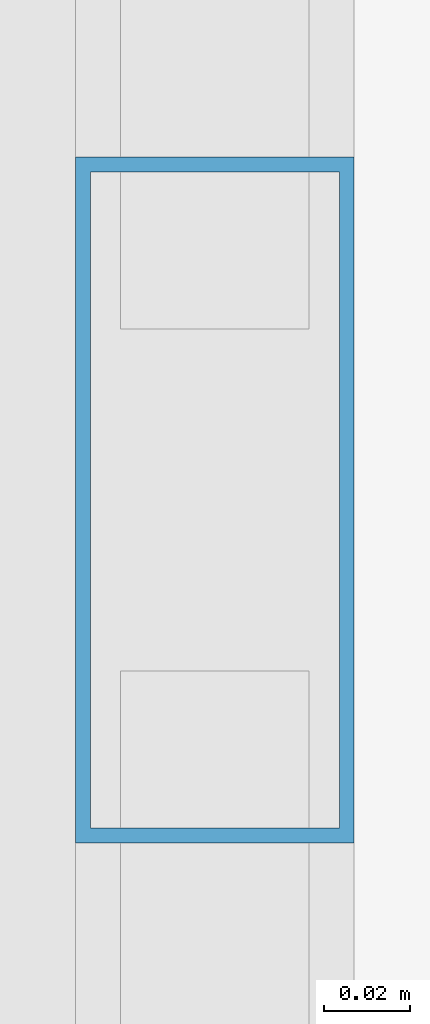
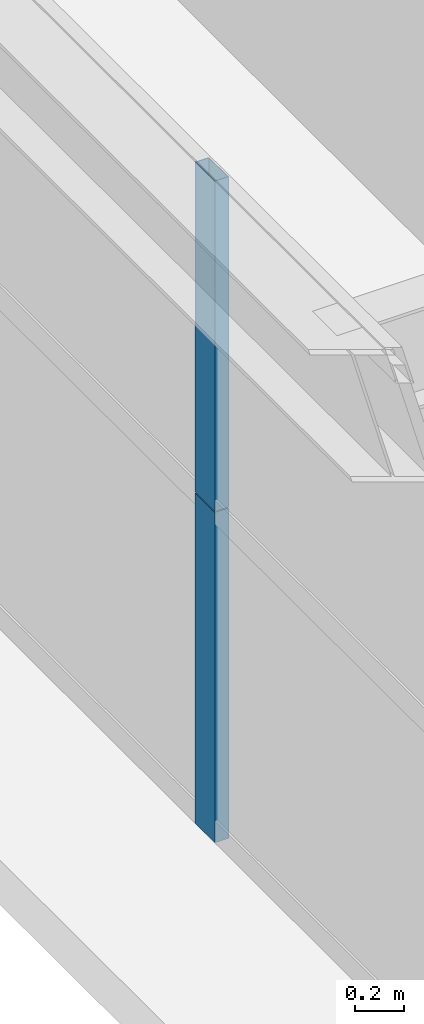
# One storey, part 14 of 38: 2 members, 1 element without a shape of its own.
"""IFC4 building model written with IfcOpenShell, lengths in metres."""

from ifc_helpers import new_model, si_unit, direction, frame, origin, origin_2d, place, context, subcontext, project, spatial, hollow_rectangle, extrude, source, transform, mapped, material, layer, layer_set, material_profile, profile_set, type_object, element, aggregate, save


model = new_model("IFC4")

# Units and contexts
model_context = context("Model", 3, precision=1e-05, world=origin(), true_north=direction((0.0, 1.0)))
body_context = subcontext(model_context, "Body", "Model", "MODEL_VIEW")
ifc_project = project(units=[si_unit("LENGTHUNIT", "METRE"), si_unit("AREAUNIT", "SQUARE_METRE"), si_unit("VOLUMEUNIT", "CUBIC_METRE"), si_unit("PLANEANGLEUNIT", "RADIAN"), si_unit("MASSUNIT", "GRAM", prefix="KILO"), si_unit("THERMODYNAMICTEMPERATUREUNIT", "KELVIN"), si_unit("POWERUNIT", "WATT")], contexts=[model_context])

# Site, building, storey
site_placement = place(None, origin())
site = spatial("IfcSite", under=ifc_project, at=site_placement, CompositionType="ELEMENT")
building_placement = place(site_placement, origin())
building = spatial("IfcBuilding", under=site, at=building_placement, Name="Yuzanri Waterfront Tower", CompositionType="ELEMENT")
storey_placement = place(building_placement, frame((0.0, 0.0, 195.0)))
storey = spatial("IfcBuildingStorey", under=building, at=storey_placement, Name="L51", CompositionType="ELEMENT", Elevation=195.0)

# Curtain wall, members
ifc_material_1 = material(Name="Anodized Architectural Bronze", Category="metal")
ifc_layer = layer(ifc_material_1, 0.159912109375)
ifc_layer_set = layer_set([ifc_layer], Name="Anodized Architectural Bronze")
curtain_wall_type = type_object("IfcCurtainWallType", Name="Anodized Bronze Mid-Rise Residential Acoustic Unitized Curtain Wall 7200", PredefinedType="NOTDEFINED", material=ifc_layer_set)
curtain_wall_placement = place(storey_placement, origin())
curtain_wall = element("IfcCurtainWall", 1, at=curtain_wall_placement, inside=storey, type_object=curtain_wall_type, Name="L51 Curtain Wall CW-L51-WR", PredefinedType="NOTDEFINED")
ifc_material_2 = material(Name="Anodized Architectural Bronze", Category="metal")
ifc_material_profile = material_profile(ifc_material_2, hollow_rectangle(XDim=0.06494140625, YDim=0.159912109375, WallThickness=0.00341796875, at=origin_2d()), Name="CWM 65x160")
ifc_profile_set = profile_set([ifc_material_profile], Name="Anodized Architectural Bronze")
member_type = type_object("IfcMemberType", Name="Anodized Bronze Upper-Zone Curtain-Wall Mullion 65x160", PredefinedType="MULLION", material=ifc_profile_set)
shared_shape = source(origin(), body_context, "Body", "SweptSolid", [
    extrude(hollow_rectangle(XDim=0.06494140625, YDim=0.159912109375, WallThickness=0.00341796875, at=origin_2d()), origin(), (0.0, 0.0, 1.0), 1.637939453125),
])
member_1_placement = place(storey_placement, frame((15.050048828125, 33.375, 0.0), z_axis=(0.0, 0.0, 1.0), x_axis=(1.0, 0.0, 0.0)))
member_1 = element("IfcMember", 2, at=member_1_placement, type_object=member_type, Name="CW-L51-WR Lower Mullion 01", PredefinedType="MULLION", context=body_context, shape_type="MappedRepresentation", body=[
    mapped(shared_shape, transform((0.0, 0.0, 0.0), scale=1.0)),
])
member_2_placement = place(storey_placement, frame((15.050048828125, 33.375, 1.64208984375), z_axis=(0.0, 0.0, 1.0), x_axis=(1.0, 0.0, 0.0)))
member_2 = element("IfcMember", 3, at=member_2_placement, type_object=member_type, Name="CW-L51-WR Upper Mullion 01", PredefinedType="MULLION", context=body_context, shape_type="MappedRepresentation", body=[
    mapped(shared_shape, transform((0.0, 0.0, 0.0), scale=1.0)),
])
aggregate(curtain_wall, [member_1, member_2])

save(model, "model.ifc")
